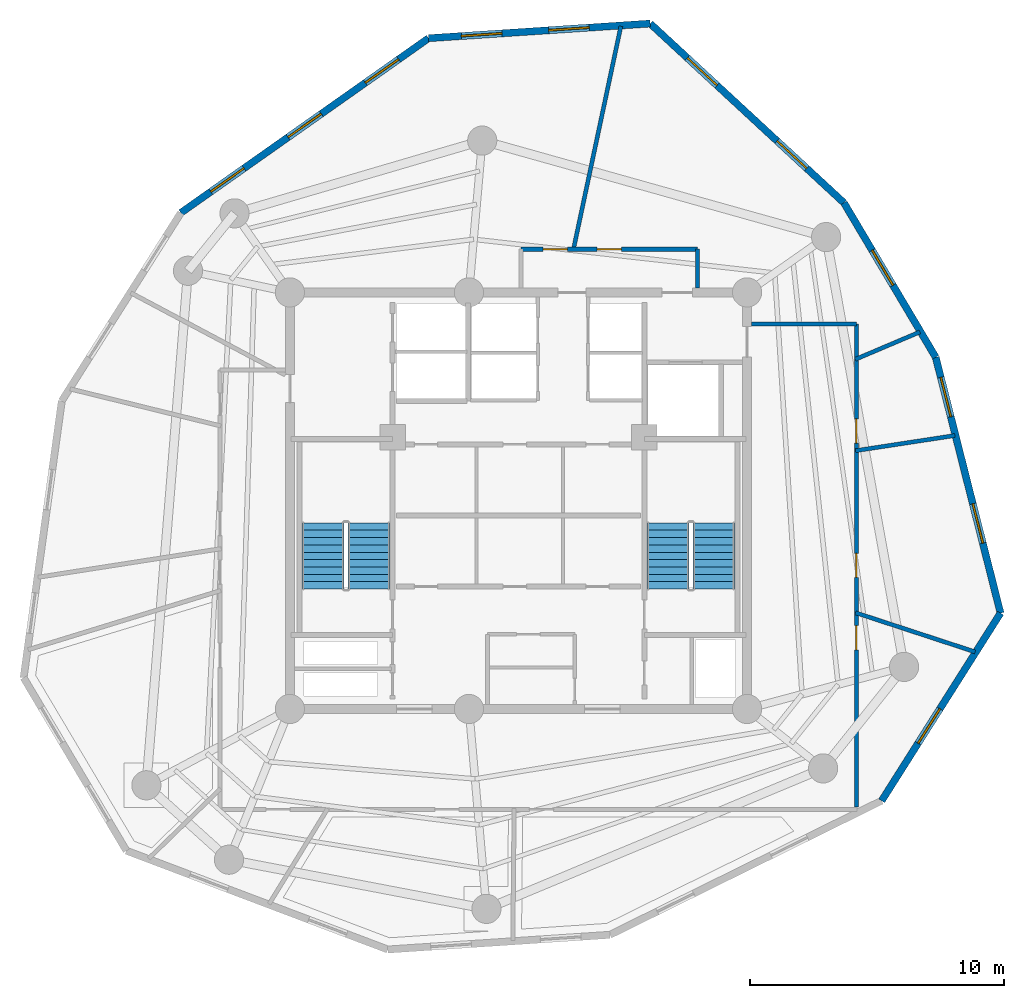
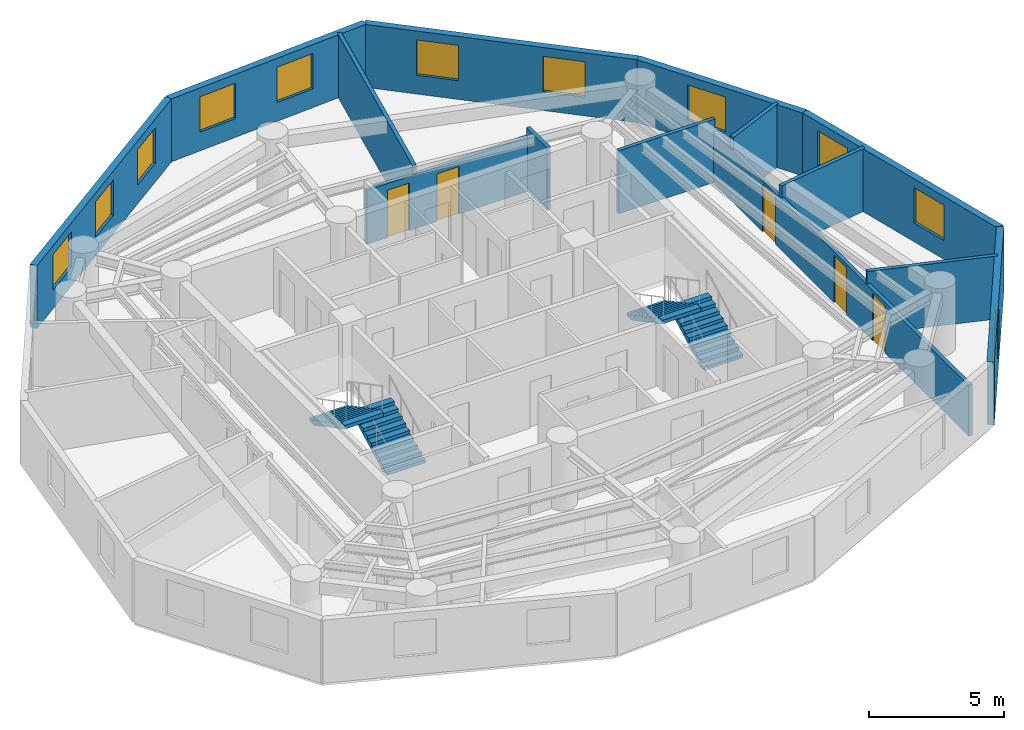
# One storey, part 5 of 6: 14 walls, 11 windows, 5 doors, 4 stair flights, 16 openings, 2 elements without a shape of their own.
"""IFC4 building model written with IfcOpenShell, lengths in metres."""

import ifcopenshell
import ifcopenshell.guid

model = None  # the IFC model being written
_history = None  # IfcOwnerHistory: only IFC2X3 demands one
_inside = {}  # id of a spatial element -> (the spatial element, [elements in it])
_under = {}  # id of a project, library or spatial element -> (it, [spatial elements below it])
_declared = {}  # id of a project -> (the project, [libraries it declares])
_typed = {}  # id of a type object -> (the type object, [elements of that type])
_made_of = {}  # id of a material, layer set ... -> (it, [elements and type objects made of it])


def new_model(schema):
    """Start an empty IFC model of exactly this schema.

    Asked for "IFC4X3", IfcOpenShell would pick the latest addendum, in which some entities
    have other attributes; the version numbers below select the first issue.
    IFC2X3 requires an IfcOwnerHistory on every rooted entity: one is made here for all.
    """
    global model, _history
    if schema == "IFC4X3":
        model = ifcopenshell.file(schema_version=(4, 3, 0, 0))
    else:
        model = ifcopenshell.file(schema=schema)
    _inside.clear()
    _under.clear()
    _declared.clear()
    _typed.clear()
    _made_of.clear()
    _history = None
    if model.schema == "IFC2X3":
        org = make("IfcOrganization", Name="unknown")
        user = make(
            "IfcPersonAndOrganization",
            ThePerson=make("IfcPerson", FamilyName="unknown"),
            TheOrganization=org,
        )
        app = make(
            "IfcApplication",
            ApplicationDeveloper=org,
            Version="unknown",
            ApplicationFullName="unknown",
            ApplicationIdentifier="unknown",
        )
        _history = make(
            "IfcOwnerHistory",
            OwningUser=user,
            OwningApplication=app,
            ChangeAction="ADDED",
            CreationDate=0,
        )
    return model


def make(cls, **values):
    """One entity of the class cls with the attributes given. An attribute that is None is left unset."""
    return model.create_entity(
        cls, **{name: value for name, value in values.items() if value is not None}
    )


def rooted(cls, **values):
    """An entity with a GlobalId (a new one), such as an element, a storey or a relation."""
    return make(cls, GlobalId=ifcopenshell.guid.new(), OwnerHistory=_history, **values)


def si_unit(unit_type, name, prefix=None):
    """IfcSIUnit, for example si_unit("LENGTHUNIT", "METRE", prefix="MILLI")."""
    return make("IfcSIUnit", UnitType=unit_type, Prefix=prefix, Name=name)


def assignment(units):
    """IfcUnitAssignment: the units of a project."""
    return None if units is None else make("IfcUnitAssignment", Units=units)


def point(xyz):
    """IfcCartesianPoint."""
    return None if xyz is None else make("IfcCartesianPoint", Coordinates=xyz)


def direction(xyz):
    """IfcDirection."""
    return None if xyz is None else make("IfcDirection", DirectionRatios=xyz)


def frame(location, z_axis=None, x_axis=None):
    """IfcAxis2Placement3D, a coordinate frame: its origin and axes. An axis left out is left unset."""
    return make(
        "IfcAxis2Placement3D",
        Location=point(location),
        Axis=direction(z_axis),
        RefDirection=direction(x_axis),
    )


def frame_2d(location, x_axis=None):
    """IfcAxis2Placement2D, a coordinate frame in the plane: its origin and x axis."""
    return make(
        "IfcAxis2Placement2D", Location=point(location), RefDirection=direction(x_axis)
    )


def origin():
    """The frame at (0, 0, 0) with its axes left unset."""
    return frame((0.0, 0.0, 0.0))


def origin_with_axes():
    """The frame at (0, 0, 0) with the z axis (0, 0, 1) and the x axis (1, 0, 0) written out."""
    return frame((0.0, 0.0, 0.0), z_axis=(0.0, 0.0, 1.0), x_axis=(1.0, 0.0, 0.0))


def place(relative_to, where):
    """IfcLocalPlacement: puts the frame where relative to a parent placement (None: the world)."""
    return make(
        "IfcLocalPlacement", PlacementRelTo=relative_to, RelativePlacement=where
    )


def context(
    kind, dimensions, precision=None, world=None, true_north=None, identifier=None
):
    """IfcGeometricRepresentationContext, for example the 3D "Model" context."""
    return make(
        "IfcGeometricRepresentationContext",
        ContextIdentifier=identifier,
        ContextType=kind,
        CoordinateSpaceDimension=dimensions,
        Precision=precision,
        WorldCoordinateSystem=world,
        TrueNorth=true_north,
    )


def subcontext(parent, identifier, kind, view, scale=None):
    """IfcGeometricRepresentationSubContext, for example "Body" below "Model"."""
    return make(
        "IfcGeometricRepresentationSubContext",
        ContextIdentifier=identifier,
        ContextType=kind,
        ParentContext=parent,
        TargetScale=scale,
        TargetView=view,
    )


def project(units=None, contexts=None):
    """IfcProject with its units and contexts."""
    return rooted(
        "IfcProject",
        Name="project",
        RepresentationContexts=contexts,
        UnitsInContext=assignment(units),
    )


def spatial(cls, under=None, at=None, **own):
    """A site, building, storey or space (cls), placed at a placement, below another one or the project."""
    s = rooted(cls, ObjectPlacement=at, **own)
    if under is not None:
        _under.setdefault(under.id(), (under, []))[1].append(s)
    return s


def polyline(points):
    """IfcPolyline through the points."""
    return make("IfcPolyline", Points=[point(p) for p in points])


def profile(cls, at=None, kind="AREA", **sizes):
    """A parametric profile (cls). Its sizes go by their IFC names, for example OverallWidth=200.0."""
    return make(cls, ProfileType=kind, Position=at, **sizes)


def rectangle(**sizes):
    """IfcRectangleProfileDef."""
    return profile("IfcRectangleProfileDef", **sizes)


def outline(outer, holes=None, kind="AREA"):
    """IfcArbitraryClosedProfileDef: a profile drawn as a closed curve; with holes, ...WithVoids."""
    if holes is None:
        return make("IfcArbitraryClosedProfileDef", ProfileType=kind, OuterCurve=outer)
    return make(
        "IfcArbitraryProfileDefWithVoids",
        ProfileType=kind,
        OuterCurve=outer,
        InnerCurves=holes,
    )


def extrude(swept, where, along, depth):
    """IfcExtrudedAreaSolid: the profile swept, set in the frame where, extruded along a direction by depth."""
    return make(
        "IfcExtrudedAreaSolid",
        SweptArea=swept,
        Position=where,
        ExtrudedDirection=direction(along),
        Depth=depth,
    )


def shape(context_of_items, identifier, shape_type, items):
    """IfcShapeRepresentation: the items that make up one representation, for example the "Body"."""
    return make(
        "IfcShapeRepresentation",
        ContextOfItems=context_of_items,
        RepresentationIdentifier=identifier,
        RepresentationType=shape_type,
        Items=items,
    )


def source(mapping_origin, context_of_items, identifier, shape_type, items):
    """IfcRepresentationMap: a shape defined once, which mapped items show again and again."""
    return make(
        "IfcRepresentationMap",
        MappingOrigin=mapping_origin,
        MappedRepresentation=shape(context_of_items, identifier, shape_type, items),
    )


def transform(
    local_origin,
    x_axis=None,
    y_axis=None,
    z_axis=None,
    scale=None,
    scale2=None,
    scale3=None,
    uniform=True,
):
    """IfcCartesianTransformationOperator3D, or its non-uniform kind. x_axis, y_axis, z_axis: its Axis1, 2, 3."""
    if uniform:
        return make(
            "IfcCartesianTransformationOperator3D",
            Axis1=direction(x_axis),
            Axis2=direction(y_axis),
            LocalOrigin=point(local_origin),
            Scale=scale,
            Axis3=direction(z_axis),
        )
    return make(
        "IfcCartesianTransformationOperator3DnonUniform",
        Axis1=direction(x_axis),
        Axis2=direction(y_axis),
        LocalOrigin=point(local_origin),
        Scale=scale,
        Axis3=direction(z_axis),
        Scale2=scale2,
        Scale3=scale3,
    )


def mapped(mapping_source, mapping_target):
    """IfcMappedItem: shows the shape of a source again, moved by a transform."""
    return make(
        "IfcMappedItem", MappingSource=mapping_source, MappingTarget=mapping_target
    )


def material(Name=None, Category=None):
    """IfcMaterial."""
    return make("IfcMaterial", Name=Name, Category=Category)


def layer(
    of_material, thickness, ventilated=None, Name=None, Category=None, Priority=None
):
    """IfcMaterialLayer: one layer of a wall or slab, of a material (None: an air gap)."""
    return make(
        "IfcMaterialLayer",
        Material=of_material,
        LayerThickness=thickness,
        IsVentilated=ventilated,
        Name=Name,
        Category=Category,
        Priority=Priority,
    )


def layer_set(layers, Name=None):
    """IfcMaterialLayerSet."""
    return make("IfcMaterialLayerSet", MaterialLayers=layers, LayerSetName=Name)


def made_of(thing, what):
    """Note that an element or type object is made of a material, layer set ...; save() writes the relation."""
    if what is not None:
        _made_of.setdefault(what.id(), (what, []))[1].append(thing)
    return thing


def type_object(cls, material=None, **own):
    """A type object (cls), such as IfcWallType, which elements share."""
    return made_of(rooted(cls, **own), material)


def element(
    cls,
    number,
    at=None,
    inside=None,
    cuts=None,
    type_object=None,
    material=None,
    context=None,
    identifier="Body",
    shape_type=None,
    held_by="IfcProductDefinitionShape",
    body=None,
    shapes=None,
    **own,
):
    """One element of the class cls, such as IfcWall. Its Tag is "e" and its number.

    at: its placement. inside: the storey or other place that contains it. cuts: it is an
    opening in that element (IfcRelVoidsElement). A single representation is given by context,
    identifier, shape_type and body (its items); several are given by shapes. held_by: the class
    of the entity that holds the representations. save() writes the other relations.
    """
    e = rooted(cls, Tag="e%d" % number, ObjectPlacement=at, **own)
    if body is not None:
        shapes = [shape(context, identifier, shape_type, body)]
    if shapes is not None:
        e.Representation = make(held_by, Representations=shapes)
    if inside is not None:
        _inside.setdefault(inside.id(), (inside, []))[1].append(e)
    if cuts is not None:
        rooted(
            "IfcRelVoidsElement", RelatingBuildingElement=cuts, RelatedOpeningElement=e
        )
    if type_object is not None:
        _typed.setdefault(type_object.id(), (type_object, []))[1].append(e)
    return made_of(e, material)


def fill(opening, filler):
    """IfcRelFillsElement: the door or window that sits in an opening."""
    return rooted(
        "IfcRelFillsElement",
        RelatingOpeningElement=opening,
        RelatedBuildingElement=filler,
    )


def aggregate(whole, parts):
    """IfcRelAggregates: a whole, such as a stair, and the parts it consists of."""
    return rooted("IfcRelAggregates", RelatingObject=whole, RelatedObjects=parts)


def save(model, path):
    """Write the relations noted so far, then the file.

    IfcRelAggregates (storeys below a building ...), IfcRelContainedInSpatialStructure (elements
    in a storey), IfcRelDefinesByType, IfcRelAssociatesMaterial and IfcRelDeclares: one each for
    every whole, place, type object, material and project.
    """
    for whole, parts in _under.values():
        aggregate(whole, parts)
    for where, things in _inside.values():
        rooted(
            "IfcRelContainedInSpatialStructure",
            RelatedElements=things,
            RelatingStructure=where,
        )
    for kind, things in _typed.values():
        rooted("IfcRelDefinesByType", RelatedObjects=things, RelatingType=kind)
    for what, things in _made_of.values():
        rooted("IfcRelAssociatesMaterial", RelatedObjects=things, RelatingMaterial=what)
    for by, libraries in _declared.values():
        rooted("IfcRelDeclares", RelatingContext=by, RelatedDefinitions=libraries)
    model.write(path)


model = new_model("IFC4")

# Units and contexts
model_context = context("Model", 3, precision=1e-05, world=origin(), true_north=direction((0.0, 1.0)))
body_context = subcontext(model_context, "Body", "Model", "MODEL_VIEW")
ifc_project = project(units=[si_unit("LENGTHUNIT", "METRE"), si_unit("AREAUNIT", "SQUARE_METRE"), si_unit("VOLUMEUNIT", "CUBIC_METRE"), si_unit("PLANEANGLEUNIT", "RADIAN"), si_unit("MASSUNIT", "GRAM", prefix="KILO")], contexts=[model_context])

# Site, building, storey
site_placement = place(None, origin())
site = spatial("IfcSite", under=ifc_project, at=site_placement, CompositionType="ELEMENT")
building_placement = place(site_placement, origin())
building = spatial("IfcBuilding", under=site, at=building_placement, Name="Karkom Vertical University and Central Library", CompositionType="ELEMENT")
storey_placement = place(building_placement, frame((0.0, 0.0, 262.64990234375)))
storey = spatial("IfcBuildingStorey", under=building, at=storey_placement, Name="L78", CompositionType="ELEMENT", Elevation=262.64990234375)

# Wall, opening, window
ifc_material_1 = material(Name="Brick-faced precast concrete C45/55", Category="masonry")
ifc_layer_1 = layer(ifc_material_1, 0.280029296875)
ifc_layer_set_1 = layer_set([ifc_layer_1], Name="Brick-faced precast concrete C45/55")
wall_type_1 = type_object("IfcWallType", Name="ENV-WL-BRK-280", PredefinedType="SOLIDWALL", material=ifc_layer_set_1)
wall_1_placement = place(storey_placement, frame((42.79931640625, 14.683837890625, 0.0), z_axis=(0.0, 0.0, 1.0), x_axis=(0.535008927274, 0.84484640482, 0.0)))
wall_1 = element("IfcWall", 1, at=wall_1_placement, inside=storey, type_object=wall_type_1, Name="Level 78 Brick-Faced Precast Facade Wall 05", PredefinedType="SOLIDWALL", context=body_context, shape_type="SweptSolid", body=[
    extrude(rectangle(XDim=8.748779296875, YDim=0.280029296875, at=frame_2d((4.37451171875, 0.0))), origin(), (0.0, 0.0, 1.0), 2.85009765625),
])
opening_1_placement = place(wall_1_placement, frame((2.686767578125, 0.0, 0.85009765625)))
opening_1 = element("IfcOpeningElement", 2, at=opening_1_placement, cuts=wall_1, Name="Opening WN-10", PredefinedType="OPENING", context=body_context, shape_type="SweptSolid", body=[
    extrude(rectangle(XDim=1.60009765625, YDim=1.60009765625, at=frame_2d((0.800048828125, 0.800048828125))), frame((0.0, 0.14990234375, 0.0), z_axis=(0.0, -1.0, 0.0), x_axis=(1.0, 0.0, 0.0)), (0.0, 0.0, 1.0), 0.300048828125),
])
ifc_material_2 = material(Name="Aluminium thermal-break frame with solar-control IGU", Category="aluminium")
window_type = type_object("IfcWindowType", Name="ENV-WIN-WN-10", PartitioningType="SINGLE_PANEL", PredefinedType="WINDOW", material=ifc_material_2)
shared_shape_1 = source(origin_with_axes(), body_context, "Body", "SweptSolid", [
    extrude(rectangle(XDim=1.60009765625, YDim=1.60009765625, at=frame_2d((0.800048828125, 0.800048828125))), frame((0.0, 0.030029296875, 0.0), z_axis=(0.0, -1.0, 0.0), x_axis=(1.0, 0.0, 0.0)), (0.0, 0.0, 1.0), 0.06005859375),
])
window_1_placement = place(opening_1_placement, origin())
window_1 = element("IfcWindow", 3, at=window_1_placement, inside=storey, type_object=window_type, Name="Level 78 Punched Window 5.1", OverallHeight=1.60009765625, OverallWidth=1.60009765625, PartitioningType="SINGLE_PANEL", PredefinedType="WINDOW", context=body_context, shape_type="MappedRepresentation", body=[
    mapped(shared_shape_1, transform((0.0, 0.0, 0.0), scale=1.0)),
])
fill(opening_1, window_1)

# Wall, openings, windows
wall_2_placement = place(storey_placement, frame((47.47998046875, 22.0751953125, 0.0), z_axis=(0.0, 0.0, 1.0), x_axis=(-0.24553675392, 0.969387281985, 0.0)))
wall_2 = element("IfcWall", 4, at=wall_2_placement, inside=storey, type_object=wall_type_1, Name="Level 78 Brick-Faced Precast Facade Wall 06", PredefinedType="SOLIDWALL", context=body_context, shape_type="SweptSolid", body=[
    extrude(rectangle(XDim=10.3896484375, YDim=0.280029296875, at=frame_2d((5.19482421875, 0.0))), origin(), (0.0, 0.0, 1.0), 2.85009765625),
])
opening_2_placement = place(wall_2_placement, frame((2.841064453125, 0.0, 0.85009765625)))
opening_2 = element("IfcOpeningElement", 5, at=opening_2_placement, cuts=wall_2, Name="Opening WN-10", PredefinedType="OPENING", context=body_context, shape_type="SweptSolid", body=[
    extrude(rectangle(XDim=1.60009765625, YDim=1.60009765625, at=frame_2d((0.800048828125, 0.800048828125))), frame((0.0, 0.14990234375, 0.0), z_axis=(0.0, -1.0, 0.0), x_axis=(1.0, 0.0, 0.0)), (0.0, 0.0, 1.0), 0.300048828125),
])
opening_3_placement = place(wall_2_placement, frame((7.9755859375, 0.0, 0.85009765625)))
opening_3 = element("IfcOpeningElement", 6, at=opening_3_placement, cuts=wall_2, Name="Opening WN-10", PredefinedType="OPENING", context=body_context, shape_type="SweptSolid", body=[
    extrude(rectangle(XDim=1.60009765625, YDim=1.60009765625, at=frame_2d((0.800048828125, 0.800048828125))), frame((0.0, 0.14990234375, 0.0), z_axis=(0.0, -1.0, 0.0), x_axis=(1.0, 0.0, 0.0)), (0.0, 0.0, 1.0), 0.300048828125),
])
window_2_placement = place(opening_2_placement, origin())
window_2 = element("IfcWindow", 7, at=window_2_placement, inside=storey, type_object=window_type, Name="Level 78 Punched Window 6.1", OverallHeight=1.60009765625, OverallWidth=1.60009765625, PartitioningType="SINGLE_PANEL", PredefinedType="WINDOW", context=body_context, shape_type="MappedRepresentation", body=[
    mapped(shared_shape_1, transform((0.0, 0.0, 0.0), scale=1.0)),
])
fill(opening_2, window_2)
window_3_placement = place(opening_3_placement, origin())
window_3 = element("IfcWindow", 8, at=window_3_placement, inside=storey, type_object=window_type, Name="Level 78 Punched Window 6.2", OverallHeight=1.60009765625, OverallWidth=1.60009765625, PartitioningType="SINGLE_PANEL", PredefinedType="WINDOW", context=body_context, shape_type="MappedRepresentation", body=[
    mapped(shared_shape_1, transform((0.0, 0.0, 0.0), scale=1.0)),
])
fill(opening_3, window_3)

# Wall, opening, window
wall_3_placement = place(storey_placement, frame((44.928955078125, 32.146728515625, 0.0), z_axis=(0.0, 0.0, 1.0), x_axis=(-0.510843219919, 0.859673894371, 0.0)))
wall_3 = element("IfcWall", 9, at=wall_3_placement, inside=storey, type_object=wall_type_1, Name="Level 78 Brick-Faced Precast Facade Wall 07", PredefinedType="SOLIDWALL", context=body_context, shape_type="SweptSolid", body=[
    extrude(rectangle(XDim=7.076416015625, YDim=0.280029296875, at=frame_2d((3.5380859375, 0.0))), origin(), (0.0, 0.0, 1.0), 2.85009765625),
])
opening_4_placement = place(wall_3_placement, frame((3.298583984375, 0.0, 0.85009765625)))
opening_4 = element("IfcOpeningElement", 10, at=opening_4_placement, cuts=wall_3, Name="Opening WN-10", PredefinedType="OPENING", context=body_context, shape_type="SweptSolid", body=[
    extrude(rectangle(XDim=1.60009765625, YDim=1.60009765625, at=frame_2d((0.800048828125, 0.800048828125))), frame((0.0, 0.14990234375, 0.0), z_axis=(0.0, -1.0, 0.0), x_axis=(1.0, 0.0, 0.0)), (0.0, 0.0, 1.0), 0.300048828125),
])
window_4_placement = place(opening_4_placement, origin())
window_4 = element("IfcWindow", 11, at=window_4_placement, inside=storey, type_object=window_type, Name="Level 78 Punched Window 7.1", OverallHeight=1.60009765625, OverallWidth=1.60009765625, PartitioningType="SINGLE_PANEL", PredefinedType="WINDOW", context=body_context, shape_type="MappedRepresentation", body=[
    mapped(shared_shape_1, transform((0.0, 0.0, 0.0), scale=1.0)),
])
fill(opening_4, window_4)

# Wall, openings, windows
wall_4_placement = place(storey_placement, frame((41.31396484375, 38.230224609375, 0.0), z_axis=(0.0, 0.0, 1.0), x_axis=(-0.734042626163, 0.67910339638, 0.0)))
wall_4 = element("IfcWall", 12, at=wall_4_placement, inside=storey, type_object=wall_type_1, Name="Level 78 Brick-Faced Precast Facade Wall 08", PredefinedType="SOLIDWALL", context=body_context, shape_type="SweptSolid", body=[
    extrude(rectangle(XDim=10.3896484375, YDim=0.280029296875, at=frame_2d((5.19482421875, 0.0))), origin(), (0.0, 0.0, 1.0), 2.85009765625),
])
opening_5_placement = place(wall_4_placement, frame((1.9873046875, 0.0, 0.85009765625)))
opening_5 = element("IfcOpeningElement", 13, at=opening_5_placement, cuts=wall_4, Name="Opening WN-10", PredefinedType="OPENING", context=body_context, shape_type="SweptSolid", body=[
    extrude(rectangle(XDim=1.60009765625, YDim=1.60009765625, at=frame_2d((0.800048828125, 0.800048828125))), frame((0.0, 0.14990234375, 0.0), z_axis=(0.0, -1.0, 0.0), x_axis=(1.0, 0.0, 0.0)), (0.0, 0.0, 1.0), 0.300048828125),
])
opening_6_placement = place(wall_4_placement, frame((6.80224609375, 0.0, 0.85009765625)))
opening_6 = element("IfcOpeningElement", 14, at=opening_6_placement, cuts=wall_4, Name="Opening WN-10", PredefinedType="OPENING", context=body_context, shape_type="SweptSolid", body=[
    extrude(rectangle(XDim=1.60009765625, YDim=1.60009765625, at=frame_2d((0.800048828125, 0.800048828125))), frame((0.0, 0.14990234375, 0.0), z_axis=(0.0, -1.0, 0.0), x_axis=(1.0, 0.0, 0.0)), (0.0, 0.0, 1.0), 0.300048828125),
])
window_5_placement = place(opening_5_placement, origin())
window_5 = element("IfcWindow", 15, at=window_5_placement, inside=storey, type_object=window_type, Name="Level 78 Punched Window 8.1", OverallHeight=1.60009765625, OverallWidth=1.60009765625, PartitioningType="SINGLE_PANEL", PredefinedType="WINDOW", context=body_context, shape_type="MappedRepresentation", body=[
    mapped(shared_shape_1, transform((0.0, 0.0, 0.0), scale=1.0)),
])
fill(opening_5, window_5)
window_6_placement = place(opening_6_placement, origin())
window_6 = element("IfcWindow", 16, at=window_6_placement, inside=storey, type_object=window_type, Name="Level 78 Punched Window 8.2", OverallHeight=1.60009765625, OverallWidth=1.60009765625, PartitioningType="SINGLE_PANEL", PredefinedType="WINDOW", context=body_context, shape_type="MappedRepresentation", body=[
    mapped(shared_shape_1, transform((0.0, 0.0, 0.0), scale=1.0)),
])
fill(opening_6, window_6)

wall_5_placement = place(storey_placement, frame((33.6875, 45.285888671875, 0.0), z_axis=(0.0, 0.0, 1.0), x_axis=(-0.997818003346, -0.066024481805, 0.0)))
wall_5 = element("IfcWall", 17, at=wall_5_placement, inside=storey, type_object=wall_type_1, Name="Level 78 Brick-Faced Precast Facade Wall 09", PredefinedType="SOLIDWALL", context=body_context, shape_type="SweptSolid", body=[
    extrude(rectangle(XDim=8.748779296875, YDim=0.280029296875, at=frame_2d((4.37451171875, 0.0))), origin(), (0.0, 0.0, 1.0), 2.85009765625),
])
opening_7_placement = place(wall_5_placement, frame((2.408935546875, 0.0, 0.85009765625)))
opening_7 = element("IfcOpeningElement", 18, at=opening_7_placement, cuts=wall_5, Name="Opening WN-10", PredefinedType="OPENING", context=body_context, shape_type="SweptSolid", body=[
    extrude(rectangle(XDim=1.60009765625, YDim=1.60009765625, at=frame_2d((0.800048828125, 0.800048828125))), frame((0.0, 0.14990234375, 0.0), z_axis=(0.0, -1.0, 0.0), x_axis=(1.0, 0.0, 0.0)), (0.0, 0.0, 1.0), 0.300048828125),
])
opening_8_placement = place(wall_5_placement, frame((5.848876953125, 0.0, 0.85009765625)))
opening_8 = element("IfcOpeningElement", 19, at=opening_8_placement, cuts=wall_5, Name="Opening WN-10", PredefinedType="OPENING", context=body_context, shape_type="SweptSolid", body=[
    extrude(rectangle(XDim=1.60009765625, YDim=1.60009765625, at=frame_2d((0.800048828125, 0.800048828125))), frame((0.0, 0.14990234375, 0.0), z_axis=(0.0, -1.0, 0.0), x_axis=(1.0, 0.0, 0.0)), (0.0, 0.0, 1.0), 0.300048828125),
])
window_7_placement = place(opening_7_placement, origin())
window_7 = element("IfcWindow", 20, at=window_7_placement, inside=storey, type_object=window_type, Name="Level 78 Punched Window 9.1", OverallHeight=1.60009765625, OverallWidth=1.60009765625, PartitioningType="SINGLE_PANEL", PredefinedType="WINDOW", context=body_context, shape_type="MappedRepresentation", body=[
    mapped(shared_shape_1, transform((0.0, 0.0, 0.0), scale=1.0)),
])
fill(opening_7, window_7)
window_8_placement = place(opening_8_placement, origin())
window_8 = element("IfcWindow", 21, at=window_8_placement, inside=storey, type_object=window_type, Name="Level 78 Punched Window 9.2", OverallHeight=1.60009765625, OverallWidth=1.60009765625, PartitioningType="SINGLE_PANEL", PredefinedType="WINDOW", context=body_context, shape_type="MappedRepresentation", body=[
    mapped(shared_shape_1, transform((0.0, 0.0, 0.0), scale=1.0)),
])
fill(opening_8, window_8)

wall_6_placement = place(storey_placement, frame((24.957763671875, 44.708251953125, 0.0), z_axis=(0.0, 0.0, 1.0), x_axis=(-0.817381683892, -0.576096504796, 0.0)))
wall_6 = element("IfcWall", 22, at=wall_6_placement, inside=storey, type_object=wall_type_1, Name="Level 78 Brick-Faced Precast Facade Wall 10", PredefinedType="SOLIDWALL", context=body_context, shape_type="SweptSolid", body=[
    extrude(rectangle(XDim=11.929443359375, YDim=0.280029296875, at=frame_2d((5.96484375, 0.0))), origin(), (0.0, 0.0, 1.0), 2.85009765625),
])
opening_9_placement = place(wall_6_placement, frame((1.441650390625, 0.0, 0.85009765625)))
opening_9 = element("IfcOpeningElement", 23, at=opening_9_placement, cuts=wall_6, Name="Opening WN-10", PredefinedType="OPENING", context=body_context, shape_type="SweptSolid", body=[
    extrude(rectangle(XDim=1.60009765625, YDim=1.60009765625, at=frame_2d((0.800048828125, 0.800048828125))), frame((0.0, 0.14990234375, 0.0), z_axis=(0.0, -1.0, 0.0), x_axis=(1.0, 0.0, 0.0)), (0.0, 0.0, 1.0), 0.300048828125),
])
opening_10_placement = place(wall_6_placement, frame((5.164794921875, 0.0, 0.85009765625)))
opening_10 = element("IfcOpeningElement", 24, at=opening_10_placement, cuts=wall_6, Name="Opening WN-10", PredefinedType="OPENING", context=body_context, shape_type="SweptSolid", body=[
    extrude(rectangle(XDim=1.60009765625, YDim=1.60009765625, at=frame_2d((0.800048828125, 0.800048828125))), frame((0.0, 0.14990234375, 0.0), z_axis=(0.0, -1.0, 0.0), x_axis=(1.0, 0.0, 0.0)), (0.0, 0.0, 1.0), 0.300048828125),
])
opening_11_placement = place(wall_6_placement, frame((8.887939453125, 0.0, 0.85009765625)))
opening_11 = element("IfcOpeningElement", 25, at=opening_11_placement, cuts=wall_6, Name="Opening WN-10", PredefinedType="OPENING", context=body_context, shape_type="SweptSolid", body=[
    extrude(rectangle(XDim=1.60009765625, YDim=1.60009765625, at=frame_2d((0.800048828125, 0.800048828125))), frame((0.0, 0.14990234375, 0.0), z_axis=(0.0, -1.0, 0.0), x_axis=(1.0, 0.0, 0.0)), (0.0, 0.0, 1.0), 0.300048828125),
])
window_9_placement = place(opening_9_placement, origin())
window_9 = element("IfcWindow", 26, at=window_9_placement, inside=storey, type_object=window_type, Name="Level 78 Punched Window 10.1", OverallHeight=1.60009765625, OverallWidth=1.60009765625, PartitioningType="SINGLE_PANEL", PredefinedType="WINDOW", context=body_context, shape_type="MappedRepresentation", body=[
    mapped(shared_shape_1, transform((0.0, 0.0, 0.0), scale=1.0)),
])
fill(opening_9, window_9)
window_10_placement = place(opening_10_placement, origin())
window_10 = element("IfcWindow", 27, at=window_10_placement, inside=storey, type_object=window_type, Name="Level 78 Punched Window 10.2", OverallHeight=1.60009765625, OverallWidth=1.60009765625, PartitioningType="SINGLE_PANEL", PredefinedType="WINDOW", context=body_context, shape_type="MappedRepresentation", body=[
    mapped(shared_shape_1, transform((0.0, 0.0, 0.0), scale=1.0)),
])
fill(opening_10, window_10)
window_11_placement = place(opening_11_placement, origin())
window_11 = element("IfcWindow", 28, at=window_11_placement, inside=storey, type_object=window_type, Name="Level 78 Punched Window 10.3", OverallHeight=1.60009765625, OverallWidth=1.60009765625, PartitioningType="SINGLE_PANEL", PredefinedType="WINDOW", context=body_context, shape_type="MappedRepresentation", body=[
    mapped(shared_shape_1, transform((0.0, 0.0, 0.0), scale=1.0)),
])
fill(opening_11, window_11)

# Wall, openings, doors
ifc_material_3 = material(Name="Insulated metal-stud drywall 160mm", Category="gypsum")
ifc_layer_2 = layer(ifc_material_3, 0.159912109375)
ifc_layer_set_2 = layer_set([ifc_layer_2], Name="Insulated metal-stud drywall 160mm")
wall_type_2 = type_object("IfcWallType", Name="INT-WL-COR-160", PredefinedType="PARTITIONING", material=ifc_layer_set_2)
wall_7_placement = place(storey_placement, frame((41.800048828125, 33.449951171875, 0.0), z_axis=(0.0, 0.0, 1.0), x_axis=(0.0, -1.0, 0.0)))
wall_7 = element("IfcWall", 29, at=wall_7_placement, inside=storey, type_object=wall_type_2, Name="Level 78 Interior Partition Wall L78-CORW-CW-005", PredefinedType="PARTITIONING", context=body_context, shape_type="SweptSolid", body=[
    extrude(rectangle(XDim=19.012939453125, YDim=0.159912109375, at=frame_2d((9.50634765625, 0.0))), origin(), (0.0, 0.0, 1.0), 2.300048828125),
])
opening_12_placement = place(wall_7_placement, frame((11.869384765625, 0.0, 0.0)))
opening_12 = element("IfcOpeningElement", 30, at=opening_12_placement, cuts=wall_7, Name="Opening D-RM1", PredefinedType="OPENING", context=body_context, shape_type="SweptSolid", body=[
    extrude(rectangle(XDim=0.949951171875, YDim=2.14990234375, at=frame_2d((0.47509765625, 1.074951171875))), frame((0.0, 0.08984375, 0.0), z_axis=(0.0, -1.0, 0.0), x_axis=(1.0, 0.0, 0.0)), (0.0, 0.0, 1.0), 0.179931640625),
])
opening_13_placement = place(wall_7_placement, frame((9.020751953125, 0.0, 0.0)))
opening_13 = element("IfcOpeningElement", 31, at=opening_13_placement, cuts=wall_7, Name="Opening D-RM1", PredefinedType="OPENING", context=body_context, shape_type="SweptSolid", body=[
    extrude(rectangle(XDim=0.949951171875, YDim=2.14990234375, at=frame_2d((0.47509765625, 1.074951171875))), frame((0.0, 0.08984375, 0.0), z_axis=(0.0, -1.0, 0.0), x_axis=(1.0, 0.0, 0.0)), (0.0, 0.0, 1.0), 0.179931640625),
])
opening_14_placement = place(wall_7_placement, frame((3.73291015625, 0.0, 0.0)))
opening_14 = element("IfcOpeningElement", 32, at=opening_14_placement, cuts=wall_7, Name="Opening D-RM1", PredefinedType="OPENING", context=body_context, shape_type="SweptSolid", body=[
    extrude(rectangle(XDim=0.949951171875, YDim=2.14990234375, at=frame_2d((0.47509765625, 1.074951171875))), frame((0.0, 0.08984375, 0.0), z_axis=(0.0, -1.0, 0.0), x_axis=(1.0, 0.0, 0.0)), (0.0, 0.0, 1.0), 0.179931640625),
])
ifc_material_4 = material(Name="Solid-core oak veneer door", Category="wood")
door_type = type_object("IfcDoorType", Name="INT-DR-RM1", OperationType="NOTDEFINED", PredefinedType="DOOR", material=ifc_material_4)
shared_shape_2 = source(origin_with_axes(), body_context, "Body", "SweptSolid", [
    extrude(rectangle(XDim=0.949951171875, YDim=2.14990234375, at=frame_2d((0.47509765625, 1.074951171875))), frame((0.0, 0.02490234375, 0.0), z_axis=(0.0, -1.0, 0.0), x_axis=(1.0, 0.0, 0.0)), (0.0, 0.0, 1.0), 0.050048828125),
])
door_1_placement = place(opening_12_placement, origin())
door_1 = element("IfcDoor", 33, at=door_1_placement, inside=storey, type_object=door_type, Name="Level 78 Room Entry Door 050", OperationType="SINGLE_SWING_LEFT", OverallHeight=2.14990234375, OverallWidth=0.949951171875, PredefinedType="DOOR", context=body_context, shape_type="MappedRepresentation", body=[
    mapped(shared_shape_2, transform((0.0, 0.0, 0.0), scale=1.0)),
])
fill(opening_12, door_1)
door_2_placement = place(opening_13_placement, origin())
door_2 = element("IfcDoor", 34, at=door_2_placement, inside=storey, type_object=door_type, Name="Level 78 Room Entry Door 060", OperationType="SINGLE_SWING_RIGHT", OverallHeight=2.14990234375, OverallWidth=0.949951171875, PredefinedType="DOOR", context=body_context, shape_type="MappedRepresentation", body=[
    mapped(shared_shape_2, transform((0.0, 0.0, 0.0), scale=1.0)),
])
fill(opening_13, door_2)
door_3_placement = place(opening_14_placement, origin())
door_3 = element("IfcDoor", 35, at=door_3_placement, inside=storey, type_object=door_type, Name="Level 78 Room Entry Door 070", OperationType="SINGLE_SWING_LEFT", OverallHeight=2.14990234375, OverallWidth=0.949951171875, PredefinedType="DOOR", context=body_context, shape_type="MappedRepresentation", body=[
    mapped(shared_shape_2, transform((0.0, 0.0, 0.0), scale=1.0)),
])
fill(opening_14, door_3)

# Wall
wall_8_placement = place(storey_placement, frame((30.659423828125, 36.37060546875, 0.0), z_axis=(0.0, 0.0, 1.0), x_axis=(0.207901866493, 0.978149688907, 0.0)))
element("IfcWall", 36, at=wall_8_placement, inside=storey, type_object=wall_type_2, Name="Level 78 Interior Partition Wall L78-PW-009", PredefinedType="PARTITIONING", context=body_context, shape_type="SweptSolid", body=[
    extrude(rectangle(XDim=9.008056640625, YDim=0.159912109375, at=frame_2d((4.50390625, 0.0))), origin(), (0.0, 0.0, 1.0), 2.85009765625),
])

# Wall, openings, doors
wall_9_placement = place(storey_placement, frame((28.60009765625, 36.39990234375, 0.0), z_axis=(0.0, 0.0, 1.0), x_axis=(1.0, 0.0, 0.0)))
wall_9 = element("IfcWall", 37, at=wall_9_placement, inside=storey, type_object=wall_type_2, Name="Level 78 Interior Partition Wall L78-CORW-CW-007", PredefinedType="PARTITIONING", context=body_context, shape_type="SweptSolid", body=[
    extrude(rectangle(XDim=6.949951171875, YDim=0.159912109375, at=frame_2d((3.47509765625, 0.0))), origin(), (0.0, 0.0, 1.0), 2.4501953125),
])
opening_15_placement = place(wall_9_placement, frame((3.0, 0.0, 0.0)))
opening_15 = element("IfcOpeningElement", 38, at=opening_15_placement, cuts=wall_9, Name="Opening D-RM1", PredefinedType="OPENING", context=body_context, shape_type="SweptSolid", body=[
    extrude(rectangle(XDim=0.949951171875, YDim=2.14990234375, at=frame_2d((0.47509765625, 1.074951171875))), frame((0.0, 0.08984375, 0.0), z_axis=(0.0, -1.0, 0.0), x_axis=(1.0, 0.0, 0.0)), (0.0, 0.0, 1.0), 0.179931640625),
])
opening_16_placement = place(wall_9_placement, frame((0.87255859375, 0.0, 0.0)))
opening_16 = element("IfcOpeningElement", 39, at=opening_16_placement, cuts=wall_9, Name="Opening D-RM1", PredefinedType="OPENING", context=body_context, shape_type="SweptSolid", body=[
    extrude(rectangle(XDim=0.949951171875, YDim=2.14990234375, at=frame_2d((0.47509765625, 1.074951171875))), frame((0.0, 0.08984375, 0.0), z_axis=(0.0, -1.0, 0.0), x_axis=(1.0, 0.0, 0.0)), (0.0, 0.0, 1.0), 0.179931640625),
])
door_4_placement = place(opening_15_placement, origin())
door_4 = element("IfcDoor", 40, at=door_4_placement, inside=storey, type_object=door_type, Name="Level 78 Room Entry Door 080", OperationType="SINGLE_SWING_RIGHT", OverallHeight=2.14990234375, OverallWidth=0.949951171875, PredefinedType="DOOR", context=body_context, shape_type="MappedRepresentation", body=[
    mapped(shared_shape_2, transform((0.0, 0.0, 0.0), scale=1.0)),
])
fill(opening_15, door_4)
door_5_placement = place(opening_16_placement, origin())
door_5 = element("IfcDoor", 41, at=door_5_placement, inside=storey, type_object=door_type, Name="Level 78 Room Entry Door 090", OperationType="SINGLE_SWING_LEFT", OverallHeight=2.14990234375, OverallWidth=0.949951171875, PredefinedType="DOOR", context=body_context, shape_type="MappedRepresentation", body=[
    mapped(shared_shape_2, transform((0.0, 0.0, 0.0), scale=1.0)),
])
fill(opening_16, door_5)

# Walls
wall_10_placement = place(storey_placement, frame((41.771484375, 22.0888671875, 0.0), z_axis=(0.0, 0.0, 1.0), x_axis=(0.950306514445, -0.311315802046, 0.0)))
element("IfcWall", 42, at=wall_10_placement, inside=storey, type_object=wall_type_2, Name="Level 78 Interior Partition Wall L78-PW-006", PredefinedType="PARTITIONING", context=body_context, shape_type="SweptSolid", body=[
    extrude(rectangle(XDim=4.954833984375, YDim=0.159912109375, at=frame_2d((2.4775390625, 0.0))), origin(), (0.0, 0.0, 1.0), 2.85009765625),
])
wall_11_placement = place(storey_placement, frame((37.681884765625, 33.449951171875, 0.0), z_axis=(0.0, 0.0, 1.0), x_axis=(1.0, 0.0, 0.0)))
element("IfcWall", 43, at=wall_11_placement, inside=storey, type_object=wall_type_2, Name="Level 78 Interior Partition Wall L78-CORW-CW-004", PredefinedType="PARTITIONING", context=body_context, shape_type="SweptSolid", body=[
    extrude(rectangle(XDim=4.1181640625, YDim=0.159912109375, at=frame_2d((2.05908203125, 0.0))), origin(), (0.0, 0.0, 1.0), 2.85009765625),
])
wall_12_placement = place(storey_placement, frame((41.770263671875, 28.46826171875, 0.0), z_axis=(0.0, 0.0, 1.0), x_axis=(0.988507491148, 0.151171888738, 0.0)))
element("IfcWall", 44, at=wall_12_placement, inside=storey, type_object=wall_type_2, Name="Level 78 Interior Partition Wall L78-PW-007", PredefinedType="PARTITIONING", context=body_context, shape_type="SweptSolid", body=[
    extrude(rectangle(XDim=3.958251953125, YDim=0.159912109375, at=frame_2d((1.97900390625, 0.0))), origin(), (0.0, 0.0, 1.0), 2.85009765625),
])
wall_13_placement = place(storey_placement, frame((41.758544921875, 32.062744140625, 0.0), z_axis=(0.0, 0.0, 1.0), x_axis=(0.92051258251, 0.390712919471, 0.0)))
element("IfcWall", 45, at=wall_13_placement, inside=storey, type_object=wall_type_2, Name="Level 78 Interior Partition Wall L78-PW-008", PredefinedType="PARTITIONING", context=body_context, shape_type="SweptSolid", body=[
    extrude(rectangle(XDim=2.76806640625, YDim=0.159912109375, at=frame_2d((1.384033203125, 0.0))), origin(), (0.0, 0.0, 1.0), 2.85009765625),
])
wall_14_placement = place(storey_placement, frame((35.550048828125, 36.39990234375, 0.0), z_axis=(0.0, 0.0, 1.0), x_axis=(0.0, -1.0, 0.0)))
element("IfcWall", 46, at=wall_14_placement, inside=storey, type_object=wall_type_2, Name="Level 78 Interior Partition Wall L78-CORW-CW-008", PredefinedType="PARTITIONING", context=body_context, shape_type="SweptSolid", body=[
    extrude(rectangle(XDim=1.517822265625, YDim=0.159912109375, at=frame_2d((0.7587890625, 0.0))), origin(), (0.0, 0.0, 1.0), 2.85009765625),
])

# Stair, stair flights
ifc_material_5 = material(Name="Concrete C45/55", Category="concrete")
stair_type = type_object("IfcStairType", Name="INT-STR-ST-MAIN", PredefinedType="HALF_TURN_STAIR", material=ifc_material_5)
stair_1_placement = place(storey_placement, origin())
stair_1 = element("IfcStair", 47, at=stair_1_placement, inside=storey, type_object=stair_type, Name="Level 78 Tower Protected Exit Stair ST-1", PredefinedType="HALF_TURN_STAIR")
stair_flight_type = type_object("IfcStairFlightType", Name="INT-SFL-ST-MAIN", PredefinedType="STRAIGHT", material=ifc_material_5)
stair_flight_1_placement = place(storey_placement, frame((22.614990234375, 23.02001953125, 0.0), z_axis=(0.0, 0.0, 1.0), x_axis=(0.0, 1.0, 0.0)))
stair_flight_1 = element("IfcStairFlight", 48, at=stair_flight_1_placement, type_object=stair_flight_type, Name="ST-1 flight 1", NumberOfRisers=10, NumberOfTreads=9, PredefinedType="STRAIGHT", RiserHeight=0.1525, TreadLength=0.29, context=body_context, shape_type="SweptSolid", body=[
    extrude(outline(polyline([(0.0, 0.0), (0.0, 0.152587890625), (0.2900390625, 0.152587890625), (0.2900390625, 0.304931640625), (0.580078125, 0.304931640625), (0.580078125, 0.45751953125), (0.8701171875, 0.45751953125), (0.8701171875, 0.610107421875), (1.159912109375, 0.610107421875), (1.159912109375, 0.762451171875), (1.449951171875, 0.762451171875), (1.449951171875, 0.9150390625), (1.739990234375, 0.9150390625), (1.739990234375, 1.0673828125), (2.030029296875, 1.0673828125), (2.030029296875, 1.219970703125), (2.320068359375, 1.219970703125), (2.320068359375, 1.37255859375), (2.610107421875, 1.37255859375), (2.610107421875, 1.52490234375), (2.610107421875, 1.203125), (0.322021484375, 0.0), (0.0, 0.0)])), frame((0.0, 0.824951171875, 0.0), z_axis=(0.0, -1.0, 0.0), x_axis=(1.0, 0.0, 0.0)), (0.0, 0.0, 1.0), 1.64990234375),
])
stair_flight_2_placement = place(storey_placement, frame((20.804931640625, 25.6298828125, 1.525146484375), z_axis=(0.0, 0.0, 1.0), x_axis=(0.0, -1.0, 0.0)))
stair_flight_2 = element("IfcStairFlight", 49, at=stair_flight_2_placement, type_object=stair_flight_type, Name="ST-1 flight 2", NumberOfRisers=10, NumberOfTreads=9, PredefinedType="STRAIGHT", RiserHeight=0.1525, TreadLength=0.29, context=body_context, shape_type="SweptSolid", body=[
    extrude(outline(polyline([(0.0, 0.0), (0.0, 0.152587890625), (0.2900390625, 0.152587890625), (0.2900390625, 0.304931640625), (0.580078125, 0.304931640625), (0.580078125, 0.45751953125), (0.8701171875, 0.45751953125), (0.8701171875, 0.610107421875), (1.159912109375, 0.610107421875), (1.159912109375, 0.762451171875), (1.449951171875, 0.762451171875), (1.449951171875, 0.9150390625), (1.739990234375, 0.9150390625), (1.739990234375, 1.0673828125), (2.030029296875, 1.0673828125), (2.030029296875, 1.219970703125), (2.320068359375, 1.219970703125), (2.320068359375, 1.37255859375), (2.610107421875, 1.37255859375), (2.610107421875, 1.52490234375), (2.610107421875, 1.203125), (0.322021484375, 0.0), (0.0, 0.0)])), frame((0.0, 0.824951171875, 0.0), z_axis=(0.0, -1.0, 0.0), x_axis=(1.0, 0.0, 0.0)), (0.0, 0.0, 1.0), 1.64990234375),
])
aggregate(stair_1, [stair_flight_1, stair_flight_2])

stair_2_placement = place(storey_placement, origin())
stair_2 = element("IfcStair", 50, at=stair_2_placement, inside=storey, type_object=stair_type, Name="Level 78 Tower Protected Exit Stair ST-2", PredefinedType="HALF_TURN_STAIR")
stair_flight_3_placement = place(storey_placement, frame((36.195068359375, 23.02001953125, 0.0), z_axis=(0.0, 0.0, 1.0), x_axis=(0.0, 1.0, 0.0)))
stair_flight_3 = element("IfcStairFlight", 51, at=stair_flight_3_placement, type_object=stair_flight_type, Name="ST-2 flight 1", NumberOfRisers=10, NumberOfTreads=9, PredefinedType="STRAIGHT", RiserHeight=0.1525, TreadLength=0.29, context=body_context, shape_type="SweptSolid", body=[
    extrude(outline(polyline([(0.0, 0.0), (0.0, 0.152587890625), (0.2900390625, 0.152587890625), (0.2900390625, 0.304931640625), (0.580078125, 0.304931640625), (0.580078125, 0.45751953125), (0.8701171875, 0.45751953125), (0.8701171875, 0.610107421875), (1.159912109375, 0.610107421875), (1.159912109375, 0.762451171875), (1.449951171875, 0.762451171875), (1.449951171875, 0.9150390625), (1.739990234375, 0.9150390625), (1.739990234375, 1.0673828125), (2.030029296875, 1.0673828125), (2.030029296875, 1.219970703125), (2.320068359375, 1.219970703125), (2.320068359375, 1.37255859375), (2.610107421875, 1.37255859375), (2.610107421875, 1.52490234375), (2.610107421875, 1.203125), (0.322021484375, 0.0), (0.0, 0.0)])), frame((0.0, 0.824951171875, 0.0), z_axis=(0.0, -1.0, 0.0), x_axis=(1.0, 0.0, 0.0)), (0.0, 0.0, 1.0), 1.64990234375),
])
stair_flight_4_placement = place(storey_placement, frame((34.385009765625, 25.6298828125, 1.525146484375), z_axis=(0.0, 0.0, 1.0), x_axis=(0.0, -1.0, 0.0)))
stair_flight_4 = element("IfcStairFlight", 52, at=stair_flight_4_placement, type_object=stair_flight_type, Name="ST-2 flight 2", NumberOfRisers=10, NumberOfTreads=9, PredefinedType="STRAIGHT", RiserHeight=0.1525, TreadLength=0.29, context=body_context, shape_type="SweptSolid", body=[
    extrude(outline(polyline([(0.0, 0.0), (0.0, 0.152587890625), (0.2900390625, 0.152587890625), (0.2900390625, 0.304931640625), (0.580078125, 0.304931640625), (0.580078125, 0.45751953125), (0.8701171875, 0.45751953125), (0.8701171875, 0.610107421875), (1.159912109375, 0.610107421875), (1.159912109375, 0.762451171875), (1.449951171875, 0.762451171875), (1.449951171875, 0.9150390625), (1.739990234375, 0.9150390625), (1.739990234375, 1.0673828125), (2.030029296875, 1.0673828125), (2.030029296875, 1.219970703125), (2.320068359375, 1.219970703125), (2.320068359375, 1.37255859375), (2.610107421875, 1.37255859375), (2.610107421875, 1.52490234375), (2.610107421875, 1.203125), (0.322021484375, 0.0), (0.0, 0.0)])), frame((0.0, 0.824951171875, 0.0), z_axis=(0.0, -1.0, 0.0), x_axis=(1.0, 0.0, 0.0)), (0.0, 0.0, 1.0), 1.64990234375),
])
aggregate(stair_2, [stair_flight_3, stair_flight_4])

save(model, "model.ifc")
